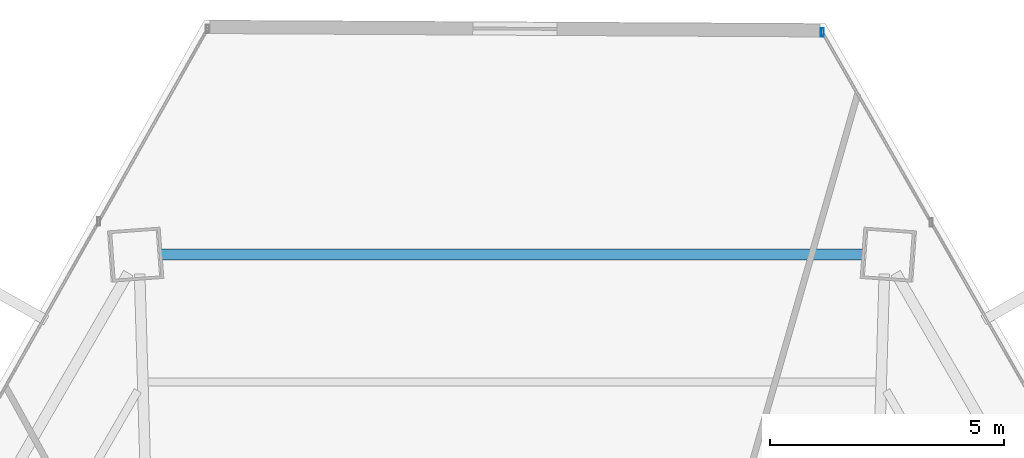
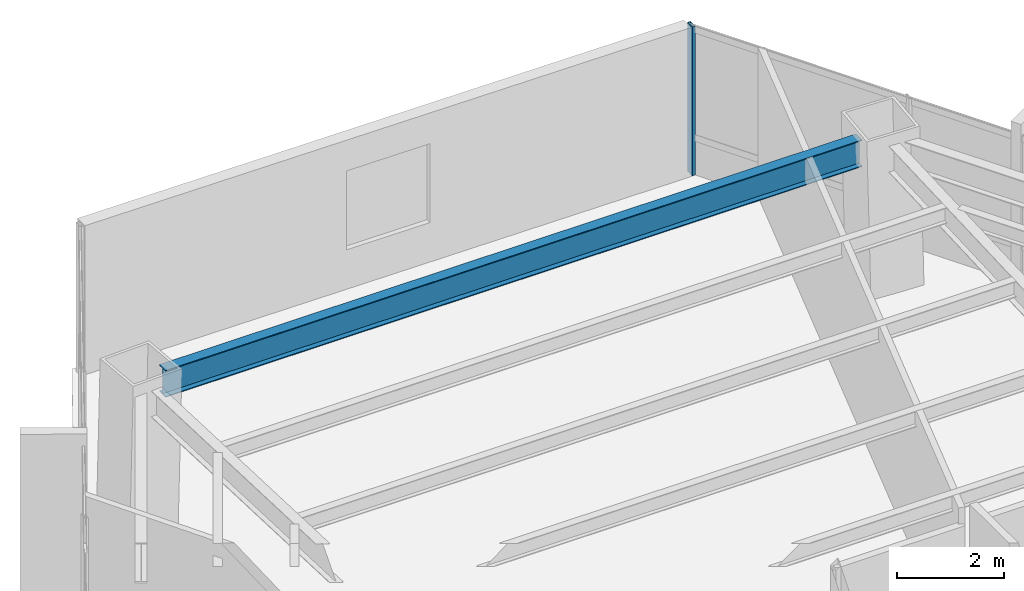
# One storey, part 27 of 36: 1 beam, 1 member, 1 element without a shape of its own.
"""IFC4 building model written with IfcOpenShell, lengths in metres."""

from ifc_helpers import new_model, si_unit, direction, frame, origin, origin_2d, place, context, subcontext, project, spatial, hollow_rectangle, i_section, extrude, source, transform, mapped, material, material_profile, profile_set, type_object, type_shapes, element, aggregate, save


model = new_model("IFC4")

# Units and contexts
model_context = context("Model", 3, precision=1e-05, world=origin(), true_north=direction((0.0, 1.0)))
body_context = subcontext(model_context, "Body", "Model", "MODEL_VIEW")
ifc_project = project(units=[si_unit("LENGTHUNIT", "METRE"), si_unit("AREAUNIT", "SQUARE_METRE"), si_unit("VOLUMEUNIT", "CUBIC_METRE"), si_unit("PLANEANGLEUNIT", "RADIAN"), si_unit("MASSUNIT", "GRAM", prefix="KILO")], contexts=[model_context])

# Site, building, storey
site_placement = place(None, origin())
site = spatial("IfcSite", under=ifc_project, at=site_placement, CompositionType="ELEMENT")
building_placement = place(site_placement, origin())
building = spatial("IfcBuilding", under=site, at=building_placement, Name="Caelisora Broadcast Tower", CompositionType="ELEMENT")
storey_placement = place(building_placement, frame((0.0, 0.0, 79.85009765625)))
storey = spatial("IfcBuildingStorey", under=building, at=storey_placement, Name="L20", CompositionType="ELEMENT", Elevation=79.85009765625)

# Beam
ifc_material_1 = material(Name="Steel Grade 350 (AS/NZS 3679.1)", Category="steel")
ifc_material_profile_1 = material_profile(ifc_material_1, i_section(OverallWidth=0.22900390625, OverallDepth=0.611572265625, WebThickness=0.011962890625, FlangeThickness=0.01953125, at=origin_2d()), Name="Steel Grade 350 (AS/NZS 3679.1)")
ifc_profile_set_1 = profile_set([ifc_material_profile_1], Name="Steel Grade 350 (AS/NZS 3679.1)")
beam_type = type_object("IfcBeamType", Name="PG03", PredefinedType="BEAM", material=ifc_profile_set_1)
shared_shape_1 = source(origin(), body_context, "Body", "SweptSolid", [
    extrude(i_section(OverallWidth=0.22900390625, OverallDepth=0.611572265625, WebThickness=0.011962890625, FlangeThickness=0.01953125, at=origin_2d()), origin(), (0.0, 0.0, 1.0), 15.0322265625),
])
type_shapes(beam_type, [shared_shape_1])
beam_placement = place(storey_placement, frame((45.51611328125, 46.370361328125, 3.093994140625), z_axis=(-1.0, 0.0, 0.0), x_axis=(0.0, -1.0, 0.0)))
element("IfcBeam", 1, at=beam_placement, inside=storey, type_object=beam_type, Name="L20 beam PG03", PredefinedType="BEAM", context=body_context, shape_type="MappedRepresentation", body=[
    mapped(shared_shape_1, transform((0.0, 0.0, 0.0), scale=1.0)),
])

# Curtain wall, member
ifc_material_2 = material(Name="Unitised Aluminium and Low-E Glass Curtain Wall", Category="glass")
curtain_wall_type = type_object("IfcCurtainWallType", Name="CW-Z2", PredefinedType="NOTDEFINED", material=ifc_material_2)
curtain_wall_placement = place(storey_placement, origin())
curtain_wall = element("IfcCurtainWall", 2, at=curtain_wall_placement, inside=storey, type_object=curtain_wall_type, Name="L20 curtain wall CW-Z2", PredefinedType="NOTDEFINED")
ifc_material_3 = material(Name="Aluminium 6063-T6 Anodised Terracotta Bronze", Category="aluminium")
ifc_material_profile_2 = material_profile(ifc_material_3, hollow_rectangle(XDim=0.06494140625, YDim=0.179931640625, WallThickness=0.00341796875, at=origin_2d()), Name="Aluminium 6063-T6 Anodised Terracotta Bronze")
ifc_profile_set_2 = profile_set([ifc_material_profile_2], Name="Aluminium 6063-T6 Anodised Terracotta Bronze")
member_type = type_object("IfcMemberType", Name="CWM-02", PredefinedType="MULLION", material=ifc_profile_set_2)
shared_shape_2 = source(origin(), body_context, "Body", "SweptSolid", [
    extrude(hollow_rectangle(XDim=0.06494140625, YDim=0.179931640625, WallThickness=0.00341796875, at=origin_2d()), origin(), (0.0, 0.0, 1.0), 3.39990234375),
])
type_shapes(member_type, [shared_shape_2])
member_placement = place(storey_placement, frame((44.638916015625, 51.11865234375, 0.0), z_axis=(0.0, 0.0, 1.0), x_axis=(1.0, 0.0, 0.0)))
member = element("IfcMember", 3, at=member_placement, type_object=member_type, Name="L20-CW-B01 mullion #0", PredefinedType="MULLION", context=body_context, shape_type="MappedRepresentation", body=[
    mapped(shared_shape_2, transform((0.0, 0.0, 0.0), scale=1.0)),
])
aggregate(curtain_wall, [member])

save(model, "model.ifc")
